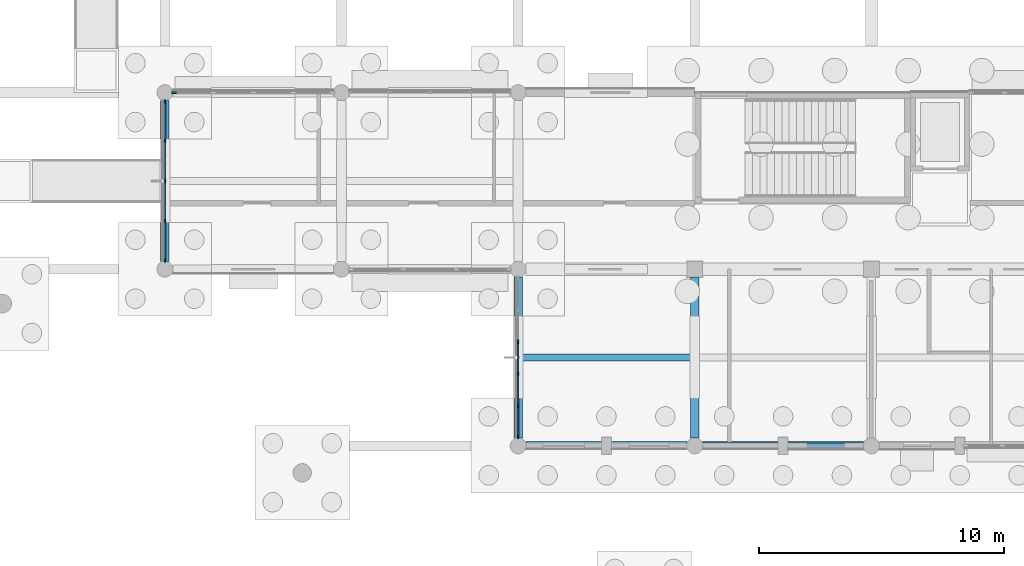
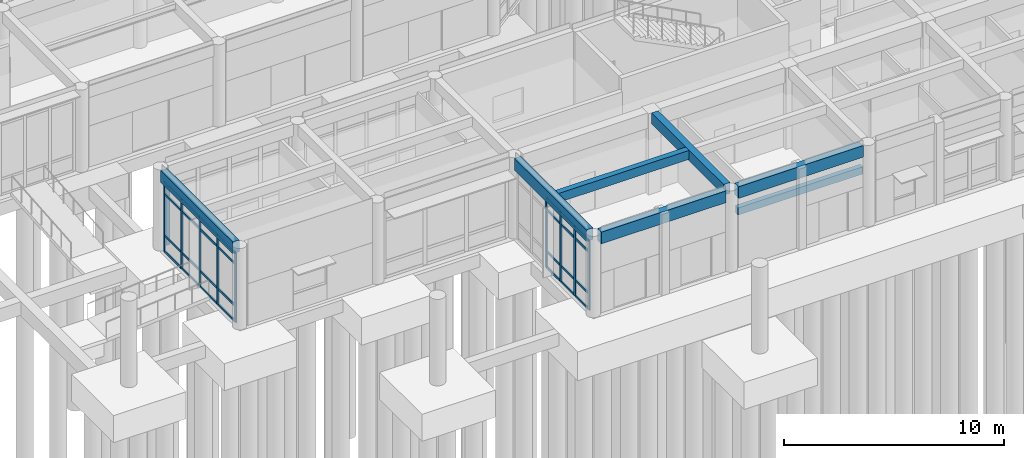
# One storey, part 11 of 103: 38 members, 7 beams, 3 elements without a shape of their own.
"""IFC4 building model written with IfcOpenShell, lengths in metres."""

from ifc_helpers import new_model, si_unit, direction, frame, origin, origin_2d, place, context, subcontext, project, spatial, rectangle, extrude, material, layer, layer_set, material_profile, profile_set, type_object, element, aggregate, save


model = new_model("IFC4")

# Units and contexts
model_context = context("Model", 3, precision=1e-05, world=origin(), true_north=direction((0.0, 1.0)))
body_context = subcontext(model_context, "Body", "Model", "MODEL_VIEW")
ifc_project = project(units=[si_unit("LENGTHUNIT", "METRE"), si_unit("AREAUNIT", "SQUARE_METRE"), si_unit("VOLUMEUNIT", "CUBIC_METRE"), si_unit("PLANEANGLEUNIT", "RADIAN"), si_unit("MASSUNIT", "GRAM", prefix="KILO")], contexts=[model_context])

# Site, building, storey
site_placement = place(None, origin())
site = spatial("IfcSite", under=ifc_project, at=site_placement, CompositionType="ELEMENT")
building_placement = place(site_placement, origin())
building = spatial("IfcBuilding", under=site, at=building_placement, Name="Namkhue Oval Health Centre", CompositionType="ELEMENT")
storey_placement = place(building_placement, origin())
storey = spatial("IfcBuildingStorey", under=building, at=storey_placement, Name="L00", CompositionType="ELEMENT", Elevation=0.0)

# Curtain wall, members
ifc_material_1 = material(Name="Anodised aluminium EN AW-6063 T6", Category="aluminium")
ifc_layer_1 = layer(ifc_material_1, 0.159912109375)
ifc_layer_set_1 = layer_set([ifc_layer_1], Name="Anodised aluminium EN AW-6063 T6")
curtain_wall_type_1 = type_object("IfcCurtainWallType", Name="UNITISED CURTAIN WALL M1800", PredefinedType="NOTDEFINED", material=ifc_layer_set_1)
curtain_wall_1_placement = place(storey_placement, origin())
curtain_wall_1 = element("IfcCurtainWall", 1, at=curtain_wall_1_placement, inside=storey, type_object=curtain_wall_type_1, Name="Volume V4 L00 Unitised Curtain Wall 143", PredefinedType="NOTDEFINED")
ifc_material_profile_1 = material_profile(ifc_material_1, rectangle(XDim=0.06494140625, YDim=0.159912109375, at=origin_2d()), Name="ALU 65x160")
ifc_profile_set_1 = profile_set([ifc_material_profile_1], Name="Anodised aluminium EN AW-6063 T6")
member_type_1 = type_object("IfcMemberType", Name="CURTAIN WALL MULLION 65X160", PredefinedType="MULLION", material=ifc_profile_set_1)
member_1_placement = place(storey_placement, frame((36.0, 28.4326171875, 0.0), z_axis=(0.0, 0.0, 1.0), x_axis=(1.0, 0.0, 0.0)))
member_1 = element("IfcMember", 2, at=member_1_placement, type_object=member_type_1, Name="CW-05 mullion 1", PredefinedType="MULLION", context=body_context, shape_type="SweptSolid", body=[
    extrude(rectangle(XDim=0.06494140625, YDim=0.159912109375, at=origin_2d()), origin(), (0.0, 0.0, 1.0), 3.860107421875),
])
member_2_placement = place(storey_placement, frame((36.0, 26.83251953125, 0.0), z_axis=(0.0, 0.0, 1.0), x_axis=(1.0, 0.0, 0.0)))
member_2 = element("IfcMember", 3, at=member_2_placement, type_object=member_type_1, Name="CW-05 mullion 2", PredefinedType="MULLION", context=body_context, shape_type="SweptSolid", body=[
    extrude(rectangle(XDim=0.06494140625, YDim=0.159912109375, at=origin_2d()), origin(), (0.0, 0.0, 1.0), 3.860107421875),
])
member_3_placement = place(storey_placement, frame((36.0, 25.199951171875, 0.0), z_axis=(0.0, 0.0, 1.0), x_axis=(1.0, 0.0, 0.0)))
member_3 = element("IfcMember", 4, at=member_3_placement, type_object=member_type_1, Name="CW-05 mullion 3", PredefinedType="MULLION", context=body_context, shape_type="SweptSolid", body=[
    extrude(rectangle(XDim=0.06494140625, YDim=0.159912109375, at=origin_2d()), origin(), (0.0, 0.0, 1.0), 3.860107421875),
])
member_4_placement = place(storey_placement, frame((36.0, 23.5673828125, 0.0), z_axis=(0.0, 0.0, 1.0), x_axis=(1.0, 0.0, 0.0)))
member_4 = element("IfcMember", 5, at=member_4_placement, type_object=member_type_1, Name="CW-05 mullion 4", PredefinedType="MULLION", context=body_context, shape_type="SweptSolid", body=[
    extrude(rectangle(XDim=0.06494140625, YDim=0.159912109375, at=origin_2d()), origin(), (0.0, 0.0, 1.0), 3.860107421875),
])
member_5_placement = place(storey_placement, frame((36.0, 21.967529296875, 0.0), z_axis=(0.0, 0.0, 1.0), x_axis=(1.0, 0.0, 0.0)))
member_5 = element("IfcMember", 6, at=member_5_placement, type_object=member_type_1, Name="CW-05 mullion 5", PredefinedType="MULLION", context=body_context, shape_type="SweptSolid", body=[
    extrude(rectangle(XDim=0.06494140625, YDim=0.159912109375, at=origin_2d()), origin(), (0.0, 0.0, 1.0), 3.860107421875),
])

ifc_layer_2 = layer(ifc_material_1, 0.159912109375)
ifc_layer_set_2 = layer_set([ifc_layer_2], Name="Anodised aluminium EN AW-6063 T6")
curtain_wall_type_2 = type_object("IfcCurtainWallType", Name="UNITISED CURTAIN WALL M1200", PredefinedType="NOTDEFINED", material=ifc_layer_set_2)
curtain_wall_2_placement = place(storey_placement, origin())
curtain_wall_2 = element("IfcCurtainWall", 7, at=curtain_wall_2_placement, inside=storey, type_object=curtain_wall_type_2, Name="Volume V4 L00 Unitised Curtain Wall 145", PredefinedType="NOTDEFINED")
member_6_placement = place(storey_placement, frame((50.39990234375, 18.653076171875, 0.0), z_axis=(0.0, 0.0, 1.0), x_axis=(1.0, 0.0, 0.0)))
member_6 = element("IfcMember", 8, at=member_6_placement, type_object=member_type_1, Name="CW-01 mullion 3", PredefinedType="MULLION", context=body_context, shape_type="SweptSolid", body=[
    extrude(rectangle(XDim=0.06494140625, YDim=0.159912109375, at=origin_2d()), origin(), (0.0, 0.0, 1.0), 3.860107421875),
])
member_7_placement = place(storey_placement, frame((50.39990234375, 17.346923828125, 0.0), z_axis=(0.0, 0.0, 1.0), x_axis=(1.0, 0.0, 0.0)))
member_7 = element("IfcMember", 9, at=member_7_placement, type_object=member_type_1, Name="CW-01 mullion 4", PredefinedType="MULLION", context=body_context, shape_type="SweptSolid", body=[
    extrude(rectangle(XDim=0.06494140625, YDim=0.159912109375, at=origin_2d()), origin(), (0.0, 0.0, 1.0), 3.860107421875),
])
member_8_placement = place(storey_placement, frame((50.39990234375, 16.041015625, 0.0), z_axis=(0.0, 0.0, 1.0), x_axis=(1.0, 0.0, 0.0)))
member_8 = element("IfcMember", 10, at=member_8_placement, type_object=member_type_1, Name="CW-01 mullion 5", PredefinedType="MULLION", context=body_context, shape_type="SweptSolid", body=[
    extrude(rectangle(XDim=0.06494140625, YDim=0.159912109375, at=origin_2d()), origin(), (0.0, 0.0, 1.0), 3.860107421875),
])
member_9_placement = place(storey_placement, frame((50.39990234375, 14.767578125, 0.0), z_axis=(0.0, 0.0, 1.0), x_axis=(1.0, 0.0, 0.0)))
member_9 = element("IfcMember", 11, at=member_9_placement, type_object=member_type_1, Name="CW-01 mullion 6", PredefinedType="MULLION", context=body_context, shape_type="SweptSolid", body=[
    extrude(rectangle(XDim=0.06494140625, YDim=0.159912109375, at=origin_2d()), origin(), (0.0, 0.0, 1.0), 3.860107421875),
])

# Curtain wall, member
ifc_layer_3 = layer(ifc_material_1, 0.159912109375)
ifc_layer_set_3 = layer_set([ifc_layer_3], Name="Anodised aluminium EN AW-6063 T6")
curtain_wall_type_3 = type_object("IfcCurtainWallType", Name="UNITISED CURTAIN WALL M1600", PredefinedType="NOTDEFINED", material=ifc_layer_set_3)
curtain_wall_3_placement = place(storey_placement, origin())
curtain_wall_3 = element("IfcCurtainWall", 12, at=curtain_wall_3_placement, inside=storey, type_object=curtain_wall_type_3, Name="Volume V4 L00 Unitised Curtain Wall 142", PredefinedType="NOTDEFINED")
ifc_material_profile_2 = material_profile(ifc_material_1, rectangle(XDim=0.074951171875, YDim=0.199951171875, at=origin_2d()), Name="ALU 75x200")
ifc_profile_set_2 = profile_set([ifc_material_profile_2], Name="Anodised aluminium EN AW-6063 T6")
member_type_2 = type_object("IfcMemberType", Name="CURTAIN WALL MULLION 75X200", PredefinedType="MULLION", material=ifc_profile_set_2)
member_10_placement = place(storey_placement, frame((36.37255859375, 28.800048828125, 0.0), z_axis=(0.0, 0.0, 1.0), x_axis=(0.0, -1.0, 0.0)))
member_10 = element("IfcMember", 13, at=member_10_placement, type_object=member_type_2, Name="CW-04 mullion 5", PredefinedType="MULLION", context=body_context, shape_type="SweptSolid", body=[
    extrude(rectangle(XDim=0.074951171875, YDim=0.199951171875, at=origin_2d()), origin(), (0.0, 0.0, 1.0), 3.860107421875),
])
aggregate(curtain_wall_3, [member_10])

# Member
ifc_material_profile_3 = material_profile(ifc_material_1, rectangle(XDim=0.06494140625, YDim=0.1201171875, at=origin_2d()), Name="ALU 65x120")
ifc_profile_set_3 = profile_set([ifc_material_profile_3], Name="Anodised aluminium EN AW-6063 T6")
member_type_3 = type_object("IfcMemberType", Name="CURTAIN WALL TRANSOM 65X120", PredefinedType="USERDEFINED", material=ifc_profile_set_3)
member_11_placement = place(storey_placement, frame((36.0, 28.39990234375, 0.032470703125), z_axis=(0.0, -1.0, 0.0), x_axis=(1.0, 0.0, 0.0)))
member_11 = element("IfcMember", 14, at=member_11_placement, type_object=member_type_3, Name="CW-05 transom 1.1", ObjectType="TRANSOM", PredefinedType="USERDEFINED", context=body_context, shape_type="SweptSolid", body=[
    extrude(rectangle(XDim=0.06494140625, YDim=0.1201171875, at=origin_2d()), origin(), (0.0, 0.0, 1.0), 1.534912109375),
])

member_12_placement = place(storey_placement, frame((36.0, 28.39990234375, 0.89990234375), z_axis=(0.0, -1.0, 0.0), x_axis=(1.0, 0.0, 0.0)))
member_12 = element("IfcMember", 15, at=member_12_placement, type_object=member_type_3, Name="CW-05 transom 1.2", ObjectType="TRANSOM", PredefinedType="USERDEFINED", context=body_context, shape_type="SweptSolid", body=[
    extrude(rectangle(XDim=0.06494140625, YDim=0.1201171875, at=origin_2d()), origin(), (0.0, 0.0, 1.0), 1.534912109375),
])

member_13_placement = place(storey_placement, frame((36.0, 28.39990234375, 3.2099609375), z_axis=(0.0, -1.0, 0.0), x_axis=(1.0, 0.0, 0.0)))
member_13 = element("IfcMember", 16, at=member_13_placement, type_object=member_type_3, Name="CW-05 transom 1.3", ObjectType="TRANSOM", PredefinedType="USERDEFINED", context=body_context, shape_type="SweptSolid", body=[
    extrude(rectangle(XDim=0.06494140625, YDim=0.1201171875, at=origin_2d()), origin(), (0.0, 0.0, 1.0), 1.534912109375),
])

member_14_placement = place(storey_placement, frame((36.0, 28.39990234375, 3.827392578125), z_axis=(0.0, -1.0, 0.0), x_axis=(1.0, 0.0, 0.0)))
member_14 = element("IfcMember", 17, at=member_14_placement, type_object=member_type_3, Name="CW-05 transom 1.4", ObjectType="TRANSOM", PredefinedType="USERDEFINED", context=body_context, shape_type="SweptSolid", body=[
    extrude(rectangle(XDim=0.06494140625, YDim=0.1201171875, at=origin_2d()), origin(), (0.0, 0.0, 1.0), 1.534912109375),
])

member_15_placement = place(storey_placement, frame((36.0, 26.800048828125, 0.032470703125), z_axis=(0.0, -1.0, 0.0), x_axis=(1.0, 0.0, 0.0)))
member_15 = element("IfcMember", 18, at=member_15_placement, type_object=member_type_3, Name="CW-05 transom 2.1", ObjectType="TRANSOM", PredefinedType="USERDEFINED", context=body_context, shape_type="SweptSolid", body=[
    extrude(rectangle(XDim=0.06494140625, YDim=0.1201171875, at=origin_2d()), origin(), (0.0, 0.0, 1.0), 1.567626953125),
])

member_16_placement = place(storey_placement, frame((36.0, 26.800048828125, 0.89990234375), z_axis=(0.0, -1.0, 0.0), x_axis=(1.0, 0.0, 0.0)))
member_16 = element("IfcMember", 19, at=member_16_placement, type_object=member_type_3, Name="CW-05 transom 2.2", ObjectType="TRANSOM", PredefinedType="USERDEFINED", context=body_context, shape_type="SweptSolid", body=[
    extrude(rectangle(XDim=0.06494140625, YDim=0.1201171875, at=origin_2d()), origin(), (0.0, 0.0, 1.0), 1.567626953125),
])

member_17_placement = place(storey_placement, frame((36.0, 26.800048828125, 3.2099609375), z_axis=(0.0, -1.0, 0.0), x_axis=(1.0, 0.0, 0.0)))
member_17 = element("IfcMember", 20, at=member_17_placement, type_object=member_type_3, Name="CW-05 transom 2.3", ObjectType="TRANSOM", PredefinedType="USERDEFINED", context=body_context, shape_type="SweptSolid", body=[
    extrude(rectangle(XDim=0.06494140625, YDim=0.1201171875, at=origin_2d()), origin(), (0.0, 0.0, 1.0), 1.567626953125),
])

member_18_placement = place(storey_placement, frame((36.0, 26.800048828125, 3.827392578125), z_axis=(0.0, -1.0, 0.0), x_axis=(1.0, 0.0, 0.0)))
member_18 = element("IfcMember", 21, at=member_18_placement, type_object=member_type_3, Name="CW-05 transom 2.4", ObjectType="TRANSOM", PredefinedType="USERDEFINED", context=body_context, shape_type="SweptSolid", body=[
    extrude(rectangle(XDim=0.06494140625, YDim=0.1201171875, at=origin_2d()), origin(), (0.0, 0.0, 1.0), 1.567626953125),
])

member_19_placement = place(storey_placement, frame((36.0, 25.16748046875, 0.032470703125), z_axis=(0.0, -1.0, 0.0), x_axis=(1.0, 0.0, 0.0)))
member_19 = element("IfcMember", 22, at=member_19_placement, type_object=member_type_3, Name="CW-05 transom 3.1", ObjectType="TRANSOM", PredefinedType="USERDEFINED", context=body_context, shape_type="SweptSolid", body=[
    extrude(rectangle(XDim=0.06494140625, YDim=0.1201171875, at=origin_2d()), origin(), (0.0, 0.0, 1.0), 1.5673828125),
])

member_20_placement = place(storey_placement, frame((36.0, 25.16748046875, 0.89990234375), z_axis=(0.0, -1.0, 0.0), x_axis=(1.0, 0.0, 0.0)))
member_20 = element("IfcMember", 23, at=member_20_placement, type_object=member_type_3, Name="CW-05 transom 3.2", ObjectType="TRANSOM", PredefinedType="USERDEFINED", context=body_context, shape_type="SweptSolid", body=[
    extrude(rectangle(XDim=0.06494140625, YDim=0.1201171875, at=origin_2d()), origin(), (0.0, 0.0, 1.0), 1.5673828125),
])

member_21_placement = place(storey_placement, frame((36.0, 25.16748046875, 3.2099609375), z_axis=(0.0, -1.0, 0.0), x_axis=(1.0, 0.0, 0.0)))
member_21 = element("IfcMember", 24, at=member_21_placement, type_object=member_type_3, Name="CW-05 transom 3.3", ObjectType="TRANSOM", PredefinedType="USERDEFINED", context=body_context, shape_type="SweptSolid", body=[
    extrude(rectangle(XDim=0.06494140625, YDim=0.1201171875, at=origin_2d()), origin(), (0.0, 0.0, 1.0), 1.5673828125),
])

member_22_placement = place(storey_placement, frame((36.0, 25.16748046875, 3.827392578125), z_axis=(0.0, -1.0, 0.0), x_axis=(1.0, 0.0, 0.0)))
member_22 = element("IfcMember", 25, at=member_22_placement, type_object=member_type_3, Name="CW-05 transom 3.4", ObjectType="TRANSOM", PredefinedType="USERDEFINED", context=body_context, shape_type="SweptSolid", body=[
    extrude(rectangle(XDim=0.06494140625, YDim=0.1201171875, at=origin_2d()), origin(), (0.0, 0.0, 1.0), 1.5673828125),
])

member_23_placement = place(storey_placement, frame((36.0, 23.534912109375, 0.032470703125), z_axis=(0.0, -1.0, 0.0), x_axis=(1.0, 0.0, 0.0)))
member_23 = element("IfcMember", 26, at=member_23_placement, type_object=member_type_3, Name="CW-05 transom 4.1", ObjectType="TRANSOM", PredefinedType="USERDEFINED", context=body_context, shape_type="SweptSolid", body=[
    extrude(rectangle(XDim=0.06494140625, YDim=0.1201171875, at=origin_2d()), origin(), (0.0, 0.0, 1.0), 1.534912109375),
])

member_24_placement = place(storey_placement, frame((36.0, 23.534912109375, 0.89990234375), z_axis=(0.0, -1.0, 0.0), x_axis=(1.0, 0.0, 0.0)))
member_24 = element("IfcMember", 27, at=member_24_placement, type_object=member_type_3, Name="CW-05 transom 4.2", ObjectType="TRANSOM", PredefinedType="USERDEFINED", context=body_context, shape_type="SweptSolid", body=[
    extrude(rectangle(XDim=0.06494140625, YDim=0.1201171875, at=origin_2d()), origin(), (0.0, 0.0, 1.0), 1.534912109375),
])

member_25_placement = place(storey_placement, frame((36.0, 23.534912109375, 3.2099609375), z_axis=(0.0, -1.0, 0.0), x_axis=(1.0, 0.0, 0.0)))
member_25 = element("IfcMember", 28, at=member_25_placement, type_object=member_type_3, Name="CW-05 transom 4.3", ObjectType="TRANSOM", PredefinedType="USERDEFINED", context=body_context, shape_type="SweptSolid", body=[
    extrude(rectangle(XDim=0.06494140625, YDim=0.1201171875, at=origin_2d()), origin(), (0.0, 0.0, 1.0), 1.534912109375),
])

member_26_placement = place(storey_placement, frame((36.0, 23.534912109375, 3.827392578125), z_axis=(0.0, -1.0, 0.0), x_axis=(1.0, 0.0, 0.0)))
member_26 = element("IfcMember", 29, at=member_26_placement, type_object=member_type_3, Name="CW-05 transom 4.4", ObjectType="TRANSOM", PredefinedType="USERDEFINED", context=body_context, shape_type="SweptSolid", body=[
    extrude(rectangle(XDim=0.06494140625, YDim=0.1201171875, at=origin_2d()), origin(), (0.0, 0.0, 1.0), 1.534912109375),
])

aggregate(curtain_wall_1, [member_1, member_2, member_3, member_4, member_5, member_11, member_12, member_13, member_14, member_15, member_16, member_17, member_18, member_19, member_20, member_21, member_22, member_23, member_24, member_25, member_26])

member_27_placement = place(storey_placement, frame((50.39990234375, 18.62060546875, 0.032470703125), z_axis=(0.0, -1.0, 0.0), x_axis=(1.0, 0.0, 0.0)))
member_27 = element("IfcMember", 30, at=member_27_placement, type_object=member_type_3, Name="CW-01 transom 3.1", ObjectType="TRANSOM", PredefinedType="USERDEFINED", context=body_context, shape_type="SweptSolid", body=[
    extrude(rectangle(XDim=0.06494140625, YDim=0.1201171875, at=origin_2d()), origin(), (0.0, 0.0, 1.0), 1.2412109375),
])

member_28_placement = place(storey_placement, frame((50.39990234375, 18.62060546875, 0.89990234375), z_axis=(0.0, -1.0, 0.0), x_axis=(1.0, 0.0, 0.0)))
member_28 = element("IfcMember", 31, at=member_28_placement, type_object=member_type_3, Name="CW-01 transom 3.2", ObjectType="TRANSOM", PredefinedType="USERDEFINED", context=body_context, shape_type="SweptSolid", body=[
    extrude(rectangle(XDim=0.06494140625, YDim=0.1201171875, at=origin_2d()), origin(), (0.0, 0.0, 1.0), 1.2412109375),
])

member_29_placement = place(storey_placement, frame((50.39990234375, 18.62060546875, 3.2099609375), z_axis=(0.0, -1.0, 0.0), x_axis=(1.0, 0.0, 0.0)))
member_29 = element("IfcMember", 32, at=member_29_placement, type_object=member_type_3, Name="CW-01 transom 3.3", ObjectType="TRANSOM", PredefinedType="USERDEFINED", context=body_context, shape_type="SweptSolid", body=[
    extrude(rectangle(XDim=0.06494140625, YDim=0.1201171875, at=origin_2d()), origin(), (0.0, 0.0, 1.0), 1.2412109375),
])

member_30_placement = place(storey_placement, frame((50.39990234375, 18.62060546875, 3.827392578125), z_axis=(0.0, -1.0, 0.0), x_axis=(1.0, 0.0, 0.0)))
member_30 = element("IfcMember", 33, at=member_30_placement, type_object=member_type_3, Name="CW-01 transom 3.4", ObjectType="TRANSOM", PredefinedType="USERDEFINED", context=body_context, shape_type="SweptSolid", body=[
    extrude(rectangle(XDim=0.06494140625, YDim=0.1201171875, at=origin_2d()), origin(), (0.0, 0.0, 1.0), 1.2412109375),
])

member_31_placement = place(storey_placement, frame((50.39990234375, 17.314453125, 0.032470703125), z_axis=(0.0, -1.0, 0.0), x_axis=(1.0, 0.0, 0.0)))
member_31 = element("IfcMember", 34, at=member_31_placement, type_object=member_type_3, Name="CW-01 transom 4.1", ObjectType="TRANSOM", PredefinedType="USERDEFINED", context=body_context, shape_type="SweptSolid", body=[
    extrude(rectangle(XDim=0.06494140625, YDim=0.1201171875, at=origin_2d()), origin(), (0.0, 0.0, 1.0), 1.240966796875),
])

member_32_placement = place(storey_placement, frame((50.39990234375, 17.314453125, 0.89990234375), z_axis=(0.0, -1.0, 0.0), x_axis=(1.0, 0.0, 0.0)))
member_32 = element("IfcMember", 35, at=member_32_placement, type_object=member_type_3, Name="CW-01 transom 4.2", ObjectType="TRANSOM", PredefinedType="USERDEFINED", context=body_context, shape_type="SweptSolid", body=[
    extrude(rectangle(XDim=0.06494140625, YDim=0.1201171875, at=origin_2d()), origin(), (0.0, 0.0, 1.0), 1.240966796875),
])

member_33_placement = place(storey_placement, frame((50.39990234375, 17.314453125, 3.2099609375), z_axis=(0.0, -1.0, 0.0), x_axis=(1.0, 0.0, 0.0)))
member_33 = element("IfcMember", 36, at=member_33_placement, type_object=member_type_3, Name="CW-01 transom 4.3", ObjectType="TRANSOM", PredefinedType="USERDEFINED", context=body_context, shape_type="SweptSolid", body=[
    extrude(rectangle(XDim=0.06494140625, YDim=0.1201171875, at=origin_2d()), origin(), (0.0, 0.0, 1.0), 1.240966796875),
])

member_34_placement = place(storey_placement, frame((50.39990234375, 17.314453125, 3.827392578125), z_axis=(0.0, -1.0, 0.0), x_axis=(1.0, 0.0, 0.0)))
member_34 = element("IfcMember", 37, at=member_34_placement, type_object=member_type_3, Name="CW-01 transom 4.4", ObjectType="TRANSOM", PredefinedType="USERDEFINED", context=body_context, shape_type="SweptSolid", body=[
    extrude(rectangle(XDim=0.06494140625, YDim=0.1201171875, at=origin_2d()), origin(), (0.0, 0.0, 1.0), 1.240966796875),
])

member_35_placement = place(storey_placement, frame((50.39990234375, 16.008544921875, 0.032470703125), z_axis=(0.0, -1.0, 0.0), x_axis=(1.0, 0.0, 0.0)))
member_35 = element("IfcMember", 38, at=member_35_placement, type_object=member_type_3, Name="CW-01 transom 5.1", ObjectType="TRANSOM", PredefinedType="USERDEFINED", context=body_context, shape_type="SweptSolid", body=[
    extrude(rectangle(XDim=0.06494140625, YDim=0.1201171875, at=origin_2d()), origin(), (0.0, 0.0, 1.0), 1.20849609375),
])

member_36_placement = place(storey_placement, frame((50.39990234375, 16.008544921875, 0.89990234375), z_axis=(0.0, -1.0, 0.0), x_axis=(1.0, 0.0, 0.0)))
member_36 = element("IfcMember", 39, at=member_36_placement, type_object=member_type_3, Name="CW-01 transom 5.2", ObjectType="TRANSOM", PredefinedType="USERDEFINED", context=body_context, shape_type="SweptSolid", body=[
    extrude(rectangle(XDim=0.06494140625, YDim=0.1201171875, at=origin_2d()), origin(), (0.0, 0.0, 1.0), 1.20849609375),
])

member_37_placement = place(storey_placement, frame((50.39990234375, 16.008544921875, 3.2099609375), z_axis=(0.0, -1.0, 0.0), x_axis=(1.0, 0.0, 0.0)))
member_37 = element("IfcMember", 40, at=member_37_placement, type_object=member_type_3, Name="CW-01 transom 5.3", ObjectType="TRANSOM", PredefinedType="USERDEFINED", context=body_context, shape_type="SweptSolid", body=[
    extrude(rectangle(XDim=0.06494140625, YDim=0.1201171875, at=origin_2d()), origin(), (0.0, 0.0, 1.0), 1.20849609375),
])

member_38_placement = place(storey_placement, frame((50.39990234375, 16.008544921875, 3.827392578125), z_axis=(0.0, -1.0, 0.0), x_axis=(1.0, 0.0, 0.0)))
member_38 = element("IfcMember", 41, at=member_38_placement, type_object=member_type_3, Name="CW-01 transom 5.4", ObjectType="TRANSOM", PredefinedType="USERDEFINED", context=body_context, shape_type="SweptSolid", body=[
    extrude(rectangle(XDim=0.06494140625, YDim=0.1201171875, at=origin_2d()), origin(), (0.0, 0.0, 1.0), 1.20849609375),
])

aggregate(curtain_wall_2, [member_6, member_7, member_8, member_9, member_27, member_28, member_29, member_30, member_31, member_32, member_33, member_34, member_35, member_36, member_37, member_38])

# Beams
ifc_material_2 = material(Name="Reinforced concrete C30/37 (TCVN B35)", Category="concrete")
ifc_material_profile_4 = material_profile(ifc_material_2, rectangle(XDim=0.35009765625, YDim=0.60009765625, at=origin_2d()), Name="RC 350x600")
ifc_profile_set_4 = profile_set([ifc_material_profile_4], Name="Reinforced concrete C30/37 (TCVN B35)")
beam_type_1 = type_object("IfcBeamType", Name="FLOOR BEAM RC 350X600", PredefinedType="BEAM", material=ifc_profile_set_4)
beam_1_placement = place(storey_placement, frame((57.60009765625, 14.72509765625, 4.2099609375), z_axis=(0.0, 1.0, 0.0), x_axis=(-1.0, 0.0, 0.0)))
element("IfcBeam", 42, at=beam_1_placement, inside=storey, type_object=beam_type_1, Name="Volume V4 L01 Beam 9/C-D", PredefinedType="BEAM", context=body_context, shape_type="SweptSolid", body=[
    extrude(rectangle(XDim=0.35009765625, YDim=0.60009765625, at=origin_2d()), origin(), (0.0, 0.0, 1.0), 6.5498046875),
])
ifc_material_profile_5 = material_profile(ifc_material_2, rectangle(XDim=0.25, YDim=0.39990234375, at=origin_2d()), Name="RC 250x400")
ifc_profile_set_5 = profile_set([ifc_material_profile_5], Name="Reinforced concrete C30/37 (TCVN B35)")
beam_type_2 = type_object("IfcBeamType", Name="OPENING LINTEL BEAM 250X400", PredefinedType="LINTEL", material=ifc_profile_set_5)
beam_2_placement = place(storey_placement, frame((57.925048828125, 14.39990234375, 3.10009765625), z_axis=(1.0, 0.0, 0.0), x_axis=(0.0, 1.0, 0.0)))
element("IfcBeam", 43, at=beam_2_placement, inside=storey, type_object=beam_type_2, Name="Volume V4 L00 Portal Lintel Beam 7", PredefinedType="LINTEL", context=body_context, shape_type="SweptSolid", body=[
    extrude(rectangle(XDim=0.25, YDim=0.39990234375, at=origin_2d()), origin(), (0.0, 0.0, 1.0), 6.550048828125),
])
ifc_material_3 = material(Name="Reinforced concrete C35/45 (TCVN B40)", Category="concrete")
ifc_material_profile_6 = material_profile(ifc_material_3, rectangle(XDim=0.35009765625, YDim=0.64990234375, at=origin_2d()), Name="RC 350x650")
ifc_profile_set_6 = profile_set([ifc_material_profile_6], Name="Reinforced concrete C35/45 (TCVN B40)")
beam_type_3 = type_object("IfcBeamType", Name="PERIMETER SPANDREL BEAM 350X650", PredefinedType="SPANDREL", material=ifc_profile_set_6)
beam_3_placement = place(storey_placement, frame((50.72509765625, 14.39990234375, 4.18505859375), z_axis=(1.0, 0.0, 0.0), x_axis=(0.0, 1.0, 0.0)))
element("IfcBeam", 44, at=beam_3_placement, inside=storey, type_object=beam_type_3, Name="Volume V4 L01 Girder C/8-9", PredefinedType="SPANDREL", context=body_context, shape_type="SweptSolid", body=[
    extrude(rectangle(XDim=0.35009765625, YDim=0.64990234375, at=origin_2d()), origin(), (0.0, 0.0, 1.0), 6.5498046875),
])
for number, where, z_axis, x_axis, name in (
    (45, (57.925048828125, 14.39990234375, 4.18505859375), (1.0, 0.0, 0.0), (0.0, 1.0, 0.0), "Volume V4 L01 Girder C/9-10"),
    (46, (36.0, 21.925048828125, 4.18505859375), (0.0, 1.0, 0.0), (-1.0, 0.0, 0.0), "Volume V4 L01 Beam 6/D-E"),
):
    element("IfcBeam", number, at=place(storey_placement, frame(where, z_axis=z_axis, x_axis=x_axis)), inside=storey, type_object=beam_type_3, Name=name, PredefinedType="SPANDREL", context=body_context, shape_type="SweptSolid", body=[
        extrude(rectangle(XDim=0.35009765625, YDim=0.64990234375, at=origin_2d()), origin(), (0.0, 0.0, 1.0), 6.550048828125),
    ])
beam_4_placement = place(storey_placement, frame((50.39990234375, 14.72509765625, 4.18505859375), z_axis=(0.0, 1.0, 0.0), x_axis=(-1.0, 0.0, 0.0)))
element("IfcBeam", 47, at=beam_4_placement, inside=storey, type_object=beam_type_3, Name="Volume V4 L01 Beam 8/C-D", PredefinedType="SPANDREL", context=body_context, shape_type="SweptSolid", body=[
    extrude(rectangle(XDim=0.35009765625, YDim=0.64990234375, at=origin_2d()), origin(), (0.0, 0.0, 1.0), 6.5498046875),
])
ifc_material_profile_7 = material_profile(ifc_material_2, rectangle(XDim=0.300048828125, YDim=0.5, at=origin_2d()), Name="RC 300x500")
ifc_profile_set_7 = profile_set([ifc_material_profile_7], Name="Reinforced concrete C30/37 (TCVN B35)")
beam_type_4 = type_object("IfcBeamType", Name="SECONDARY JOIST RC 300X500", PredefinedType="JOIST", material=ifc_profile_set_7)
beam_5_placement = place(storey_placement, frame((50.574951171875, 18.0, 4.260009765625), z_axis=(1.0, 0.0, 0.0), x_axis=(0.0, 1.0, 0.0)))
element("IfcBeam", 48, at=beam_5_placement, inside=storey, type_object=beam_type_4, Name="Volume V4 L01 Secondary Joist 8-9", PredefinedType="JOIST", context=body_context, shape_type="SweptSolid", body=[
    extrude(rectangle(XDim=0.300048828125, YDim=0.5, at=origin_2d()), origin(), (0.0, 0.0, 1.0), 6.85009765625),
])

save(model, "model.ifc")
